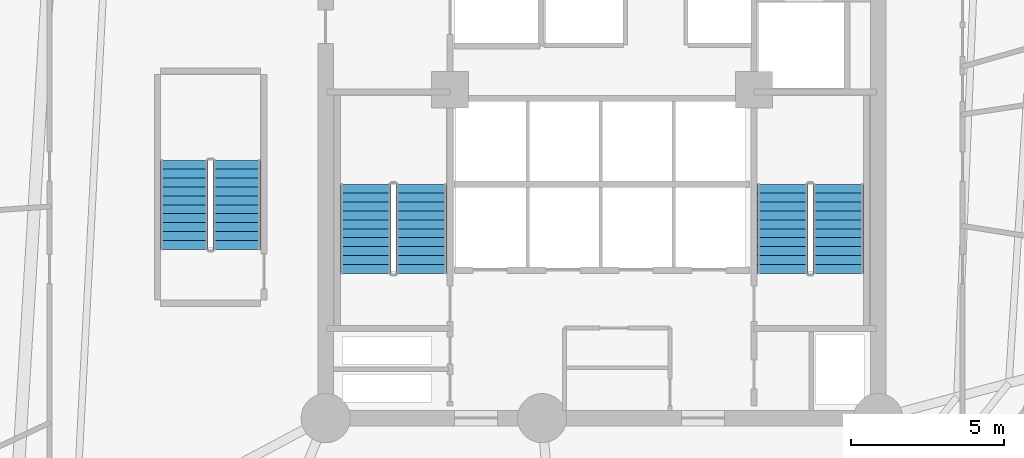
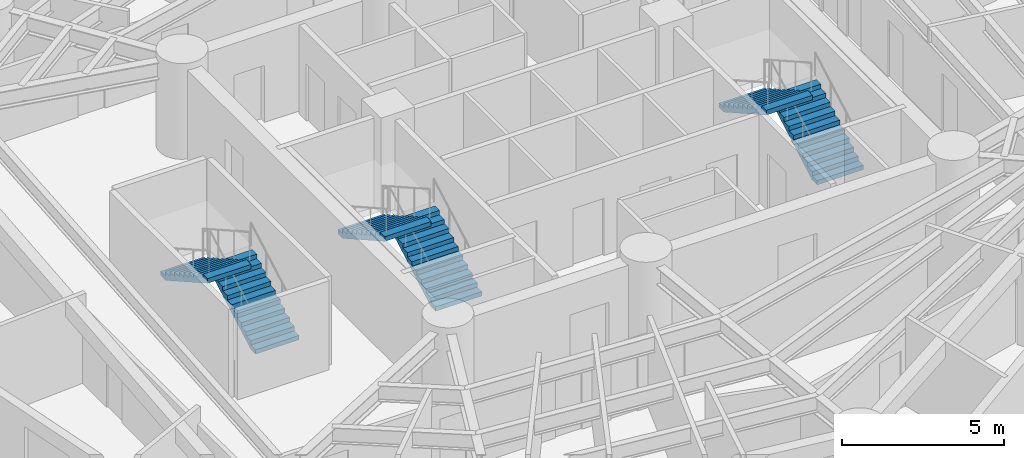
# One storey, part 7 of 8: 6 stair flights, 3 elements without a shape of their own.
"""IFC4 building model written with IfcOpenShell, lengths in metres."""

from ifc_helpers import new_model, si_unit, direction, frame, origin, place, context, subcontext, project, spatial, polyline, outline, extrude, material, type_object, element, aggregate, save


model = new_model("IFC4")

# Units and contexts
model_context = context("Model", 3, precision=1e-05, world=origin(), true_north=direction((0.0, 1.0)))
body_context = subcontext(model_context, "Body", "Model", "MODEL_VIEW")
ifc_project = project(units=[si_unit("LENGTHUNIT", "METRE"), si_unit("AREAUNIT", "SQUARE_METRE"), si_unit("VOLUMEUNIT", "CUBIC_METRE"), si_unit("PLANEANGLEUNIT", "RADIAN"), si_unit("MASSUNIT", "GRAM", prefix="KILO")], contexts=[model_context])

# Site, building, storey
site_placement = place(None, origin())
site = spatial("IfcSite", under=ifc_project, at=site_placement, CompositionType="ELEMENT")
building_placement = place(site_placement, origin())
building = spatial("IfcBuilding", under=site, at=building_placement, Name="Karkom Vertical University and Central Library", CompositionType="ELEMENT")
storey_placement = place(building_placement, frame((0.0, 0.0, 76.89990234375)))
storey = spatial("IfcBuildingStorey", under=building, at=storey_placement, Name="L20", CompositionType="ELEMENT", Elevation=76.89990234375)

# Stair, stair flights
ifc_material = material(Name="Concrete C45/55", Category="concrete")
stair_type_1 = type_object("IfcStairType", Name="INT-STR-ST-MAIN", PredefinedType="HALF_TURN_STAIR", material=ifc_material)
stair_1_placement = place(storey_placement, origin())
stair_1 = element("IfcStair", 1, at=stair_1_placement, inside=storey, type_object=stair_type_1, Name="Level 20 Tower Protected Exit Stair ST-1", PredefinedType="HALF_TURN_STAIR")
stair_flight_type_1 = type_object("IfcStairFlightType", Name="INT-SFL-ST-MAIN", PredefinedType="STRAIGHT", material=ifc_material)
stair_flight_1_placement = place(storey_placement, frame((22.614990234375, 23.02001953125, 0.0), z_axis=(0.0, 0.0, 1.0), x_axis=(0.0, 1.0, 0.0)))
stair_flight_1 = element("IfcStairFlight", 2, at=stair_flight_1_placement, type_object=stair_flight_type_1, Name="ST-1 flight 1", NumberOfRisers=11, NumberOfTreads=10, PredefinedType="STRAIGHT", RiserHeight=0.163636364, TreadLength=0.29, context=body_context, shape_type="SweptSolid", body=[
    extrude(outline(polyline([(0.0, 0.0), (0.0, 0.16357421875), (0.2900390625, 0.16357421875), (0.2900390625, 0.327392578125), (0.580078125, 0.327392578125), (0.580078125, 0.490966796875), (0.8701171875, 0.490966796875), (0.8701171875, 0.654541015625), (1.159912109375, 0.654541015625), (1.159912109375, 0.818115234375), (1.449951171875, 0.818115234375), (1.449951171875, 0.98193359375), (1.739990234375, 0.98193359375), (1.739990234375, 1.1455078125), (2.030029296875, 1.1455078125), (2.030029296875, 1.30908203125), (2.320068359375, 1.30908203125), (2.320068359375, 1.47265625), (2.610107421875, 1.47265625), (2.610107421875, 1.636474609375), (2.89990234375, 1.636474609375), (2.89990234375, 1.800048828125), (2.89990234375, 1.46435546875), (0.304931640625, 0.0), (0.0, 0.0)])), frame((0.0, 0.824951171875, 0.0), z_axis=(0.0, -1.0, 0.0), x_axis=(1.0, 0.0, 0.0)), (0.0, 0.0, 1.0), 1.64990234375),
])
stair_flight_2_placement = place(storey_placement, frame((20.804931640625, 25.919921875, 1.800048828125), z_axis=(0.0, 0.0, 1.0), x_axis=(0.0, -1.0, 0.0)))
stair_flight_2 = element("IfcStairFlight", 3, at=stair_flight_2_placement, type_object=stair_flight_type_1, Name="ST-1 flight 2", NumberOfRisers=11, NumberOfTreads=10, PredefinedType="STRAIGHT", RiserHeight=0.163636364, TreadLength=0.29, context=body_context, shape_type="SweptSolid", body=[
    extrude(outline(polyline([(0.0, 0.0), (0.0, 0.16357421875), (0.2900390625, 0.16357421875), (0.2900390625, 0.327392578125), (0.580078125, 0.327392578125), (0.580078125, 0.490966796875), (0.8701171875, 0.490966796875), (0.8701171875, 0.654541015625), (1.159912109375, 0.654541015625), (1.159912109375, 0.818115234375), (1.449951171875, 0.818115234375), (1.449951171875, 0.98193359375), (1.739990234375, 0.98193359375), (1.739990234375, 1.1455078125), (2.030029296875, 1.1455078125), (2.030029296875, 1.30908203125), (2.320068359375, 1.30908203125), (2.320068359375, 1.47265625), (2.610107421875, 1.47265625), (2.610107421875, 1.636474609375), (2.89990234375, 1.636474609375), (2.89990234375, 1.800048828125), (2.89990234375, 1.46435546875), (0.304931640625, 0.0), (0.0, 0.0)])), frame((0.0, 0.824951171875, 0.0), z_axis=(0.0, -1.0, 0.0), x_axis=(1.0, 0.0, 0.0)), (0.0, 0.0, 1.0), 1.64990234375),
])
aggregate(stair_1, [stair_flight_1, stair_flight_2])

stair_2_placement = place(storey_placement, origin())
stair_2 = element("IfcStair", 4, at=stair_2_placement, inside=storey, type_object=stair_type_1, Name="Level 20 Tower Protected Exit Stair ST-2", PredefinedType="HALF_TURN_STAIR")
stair_flight_3_placement = place(storey_placement, frame((36.195068359375, 23.02001953125, 0.0), z_axis=(0.0, 0.0, 1.0), x_axis=(0.0, 1.0, 0.0)))
stair_flight_3 = element("IfcStairFlight", 5, at=stair_flight_3_placement, type_object=stair_flight_type_1, Name="ST-2 flight 1", NumberOfRisers=11, NumberOfTreads=10, PredefinedType="STRAIGHT", RiserHeight=0.163636364, TreadLength=0.29, context=body_context, shape_type="SweptSolid", body=[
    extrude(outline(polyline([(0.0, 0.0), (0.0, 0.16357421875), (0.2900390625, 0.16357421875), (0.2900390625, 0.327392578125), (0.580078125, 0.327392578125), (0.580078125, 0.490966796875), (0.8701171875, 0.490966796875), (0.8701171875, 0.654541015625), (1.159912109375, 0.654541015625), (1.159912109375, 0.818115234375), (1.449951171875, 0.818115234375), (1.449951171875, 0.98193359375), (1.739990234375, 0.98193359375), (1.739990234375, 1.1455078125), (2.030029296875, 1.1455078125), (2.030029296875, 1.30908203125), (2.320068359375, 1.30908203125), (2.320068359375, 1.47265625), (2.610107421875, 1.47265625), (2.610107421875, 1.636474609375), (2.89990234375, 1.636474609375), (2.89990234375, 1.800048828125), (2.89990234375, 1.46435546875), (0.304931640625, 0.0), (0.0, 0.0)])), frame((0.0, 0.824951171875, 0.0), z_axis=(0.0, -1.0, 0.0), x_axis=(1.0, 0.0, 0.0)), (0.0, 0.0, 1.0), 1.64990234375),
])
stair_flight_4_placement = place(storey_placement, frame((34.385009765625, 25.919921875, 1.800048828125), z_axis=(0.0, 0.0, 1.0), x_axis=(0.0, -1.0, 0.0)))
stair_flight_4 = element("IfcStairFlight", 6, at=stair_flight_4_placement, type_object=stair_flight_type_1, Name="ST-2 flight 2", NumberOfRisers=11, NumberOfTreads=10, PredefinedType="STRAIGHT", RiserHeight=0.163636364, TreadLength=0.29, context=body_context, shape_type="SweptSolid", body=[
    extrude(outline(polyline([(0.0, 0.0), (0.0, 0.16357421875), (0.2900390625, 0.16357421875), (0.2900390625, 0.327392578125), (0.580078125, 0.327392578125), (0.580078125, 0.490966796875), (0.8701171875, 0.490966796875), (0.8701171875, 0.654541015625), (1.159912109375, 0.654541015625), (1.159912109375, 0.818115234375), (1.449951171875, 0.818115234375), (1.449951171875, 0.98193359375), (1.739990234375, 0.98193359375), (1.739990234375, 1.1455078125), (2.030029296875, 1.1455078125), (2.030029296875, 1.30908203125), (2.320068359375, 1.30908203125), (2.320068359375, 1.47265625), (2.610107421875, 1.47265625), (2.610107421875, 1.636474609375), (2.89990234375, 1.636474609375), (2.89990234375, 1.800048828125), (2.89990234375, 1.46435546875), (0.304931640625, 0.0), (0.0, 0.0)])), frame((0.0, 0.824951171875, 0.0), z_axis=(0.0, -1.0, 0.0), x_axis=(1.0, 0.0, 0.0)), (0.0, 0.0, 1.0), 1.64990234375),
])
aggregate(stair_2, [stair_flight_3, stair_flight_4])

stair_type_2 = type_object("IfcStairType", Name="INT-STR-ST-SEC", PredefinedType="HALF_TURN_STAIR", material=ifc_material)
stair_3_placement = place(storey_placement, origin())
stair_3 = element("IfcStair", 7, at=stair_3_placement, inside=storey, type_object=stair_type_2, Name="Level 20 Academic Zone Protected Exit Stair ST-3", PredefinedType="HALF_TURN_STAIR")
stair_flight_type_2 = type_object("IfcStairFlightType", Name="INT-SFL-ST-SEC", PredefinedType="STRAIGHT", material=ifc_material)
stair_flight_5_placement = place(storey_placement, frame((16.60498046875, 23.800048828125, 0.0), z_axis=(0.0, 0.0, 1.0), x_axis=(0.0, 1.0, 0.0)))
stair_flight_5 = element("IfcStairFlight", 8, at=stair_flight_5_placement, type_object=stair_flight_type_2, Name="ST-3 flight 1", NumberOfRisers=11, NumberOfTreads=10, PredefinedType="STRAIGHT", RiserHeight=0.163636364, TreadLength=0.29, context=body_context, shape_type="SweptSolid", body=[
    extrude(outline(polyline([(0.0, 0.0), (0.0, 0.16357421875), (0.2900390625, 0.16357421875), (0.2900390625, 0.327392578125), (0.580078125, 0.327392578125), (0.580078125, 0.490966796875), (0.8701171875, 0.490966796875), (0.8701171875, 0.654541015625), (1.159912109375, 0.654541015625), (1.159912109375, 0.818115234375), (1.449951171875, 0.818115234375), (1.449951171875, 0.98193359375), (1.739990234375, 0.98193359375), (1.739990234375, 1.1455078125), (2.030029296875, 1.1455078125), (2.030029296875, 1.30908203125), (2.320068359375, 1.30908203125), (2.320068359375, 1.47265625), (2.610107421875, 1.47265625), (2.610107421875, 1.636474609375), (2.89990234375, 1.636474609375), (2.89990234375, 1.800048828125), (2.89990234375, 1.46435546875), (0.304931640625, 0.0), (0.0, 0.0)])), frame((0.0, 0.77490234375, 0.0), z_axis=(0.0, -1.0, 0.0), x_axis=(1.0, 0.0, 0.0)), (0.0, 0.0, 1.0), 1.550048828125),
])
stair_flight_6_placement = place(storey_placement, frame((14.89501953125, 26.699951171875, 1.800048828125), z_axis=(0.0, 0.0, 1.0), x_axis=(0.0, -1.0, 0.0)))
stair_flight_6 = element("IfcStairFlight", 9, at=stair_flight_6_placement, type_object=stair_flight_type_2, Name="ST-3 flight 2", NumberOfRisers=11, NumberOfTreads=10, PredefinedType="STRAIGHT", RiserHeight=0.163636364, TreadLength=0.29, context=body_context, shape_type="SweptSolid", body=[
    extrude(outline(polyline([(0.0, 0.0), (0.0, 0.16357421875), (0.2900390625, 0.16357421875), (0.2900390625, 0.327392578125), (0.580078125, 0.327392578125), (0.580078125, 0.490966796875), (0.8701171875, 0.490966796875), (0.8701171875, 0.654541015625), (1.159912109375, 0.654541015625), (1.159912109375, 0.818115234375), (1.449951171875, 0.818115234375), (1.449951171875, 0.98193359375), (1.739990234375, 0.98193359375), (1.739990234375, 1.1455078125), (2.030029296875, 1.1455078125), (2.030029296875, 1.30908203125), (2.320068359375, 1.30908203125), (2.320068359375, 1.47265625), (2.610107421875, 1.47265625), (2.610107421875, 1.636474609375), (2.89990234375, 1.636474609375), (2.89990234375, 1.800048828125), (2.89990234375, 1.46435546875), (0.304931640625, 0.0), (0.0, 0.0)])), frame((0.0, 0.77490234375, 0.0), z_axis=(0.0, -1.0, 0.0), x_axis=(1.0, 0.0, 0.0)), (0.0, 0.0, 1.0), 1.550048828125),
])
aggregate(stair_3, [stair_flight_5, stair_flight_6])

save(model, "model.ifc")
